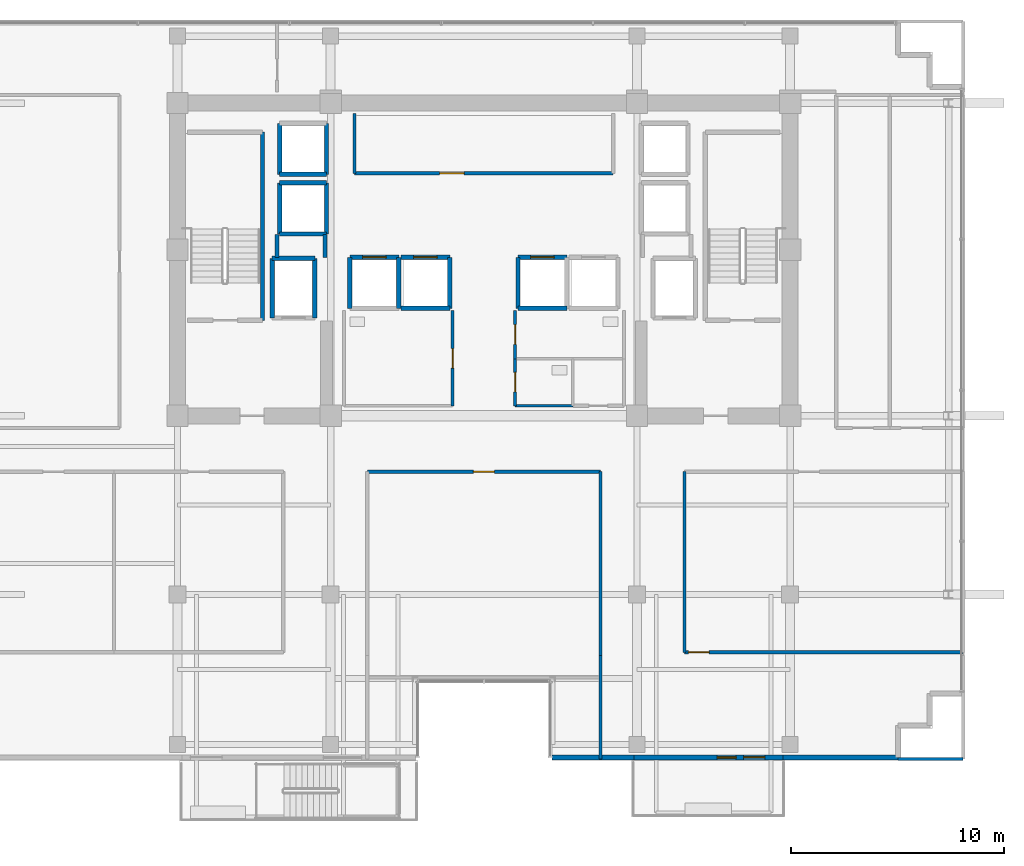
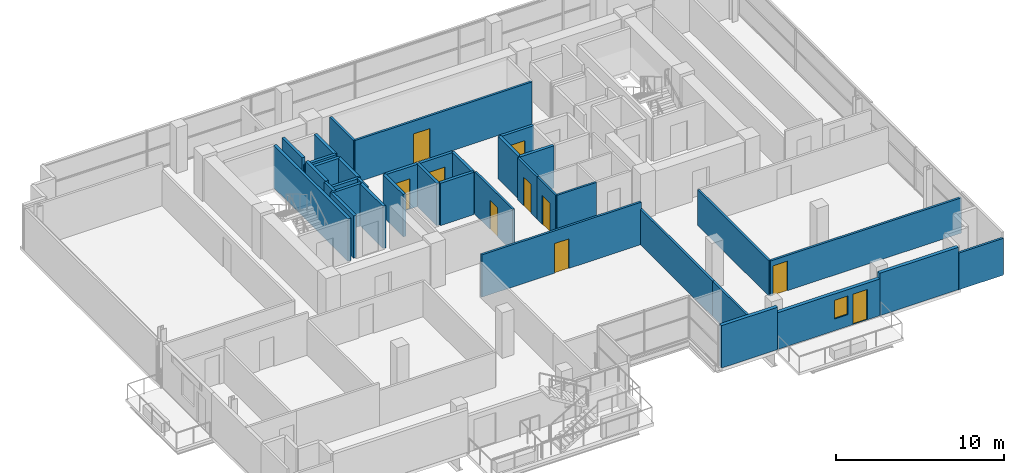
# One storey, part 17 of 23: 37 walls, 10 doors, 1 window, 11 openings.
"""IFC4 building model written with IfcOpenShell, lengths in metres."""

from ifc_helpers import new_model, si_unit, direction, frame, frame_2d, origin, place, context, subcontext, project, spatial, rectangle, extrude, source, transform, mapped, material, layer, layer_set, type_object, element, fill, save


model = new_model("IFC4")

# Units and contexts
model_context = context("Model", 3, precision=1e-05, world=origin(), true_north=direction((0.0, 1.0)))
body_context = subcontext(model_context, "Body", "Model", "MODEL_VIEW")
ifc_project = project(units=[si_unit("LENGTHUNIT", "METRE"), si_unit("AREAUNIT", "SQUARE_METRE"), si_unit("VOLUMEUNIT", "CUBIC_METRE"), si_unit("PLANEANGLEUNIT", "RADIAN"), si_unit("MASSUNIT", "GRAM", prefix="KILO")], contexts=[model_context])

# Site, building, storey
site_placement = place(None, origin())
site = spatial("IfcSite", under=ifc_project, at=site_placement, CompositionType="ELEMENT")
building_placement = place(site_placement, origin())
building = spatial("IfcBuilding", under=site, at=building_placement, Name="Zarnakvel Exchange Tower", CompositionType="ELEMENT")
storey_placement = place(building_placement, frame((0.0, 0.0, 146.199951171875)))
storey = spatial("IfcBuildingStorey", under=building, at=storey_placement, Name="L40", CompositionType="ELEMENT", Elevation=146.199951171875)

# Wall, openings, door, window
ifc_material_1 = material(Name="Precast concrete C40/50", Category="concrete")
ifc_layer_1 = layer(ifc_material_1, 0.239990234375)
ifc_layer_set_1 = layer_set([ifc_layer_1], Name="Precast concrete C40/50")
wall_type_1 = type_object("IfcWallType", Name="EW-02", PredefinedType="SOLIDWALL", material=ifc_layer_set_1)
wall_1_placement = place(storey_placement, frame((14.050048828125, -17.260009765625, 0.0), z_axis=(0.0, 0.0, 1.0), x_axis=(-1.0, 0.0, 0.0)))
wall_1 = element("IfcWall", 1, at=wall_1_placement, inside=storey, type_object=wall_type_1, Name="L40 Exterior Precast Spandrel Wall EW-BAL-L40-SE (EW-02)", PredefinedType="SOLIDWALL", context=body_context, shape_type="SweptSolid", body=[
    extrude(rectangle(XDim=7.0, YDim=0.239990234375, at=frame_2d((3.5, 0.0))), origin(), (0.0, 0.0, 1.0), 2.6650390625),
])
opening_1_placement = place(wall_1_placement, frame((0.840087890625, 0.0, 0.0)))
opening_1 = element("IfcOpeningElement", 2, at=opening_1_placement, cuts=wall_1, Name="Opening BD-L40-01", PredefinedType="OPENING", context=body_context, shape_type="SweptSolid", body=[
    extrude(rectangle(XDim=1.0, YDim=2.199951171875, at=frame_2d((0.5, 1.10009765625))), frame((0.0, 0.1298828125, 0.0), z_axis=(0.0, -1.0, 0.0), x_axis=(1.0, 0.0, 0.0)), (0.0, 0.0, 1.0), 0.260009765625),
])
opening_2_placement = place(wall_1_placement, frame((2.18994140625, 0.0, 0.85009765625)))
opening_2 = element("IfcOpeningElement", 3, at=opening_2_placement, cuts=wall_1, Name="Opening WN-06", PredefinedType="OPENING", context=body_context, shape_type="SweptSolid", body=[
    extrude(rectangle(XDim=0.89990234375, YDim=1.35009765625, at=frame_2d((0.449951171875, 0.675048828125))), frame((0.0, 0.1298828125, 0.0), z_axis=(0.0, -1.0, 0.0), x_axis=(1.0, 0.0, 0.0)), (0.0, 0.0, 1.0), 0.260009765625),
])
ifc_material_2 = material(Name="Architectural Bronze Anodised Aluminium", Category="aluminium")
door_type_1 = type_object("IfcDoorType", Name="DT-09", OperationType="NOTDEFINED", PredefinedType="DOOR", material=ifc_material_2)
shared_shape_1 = source(origin(), body_context, "Body", "SweptSolid", [
    extrude(rectangle(XDim=1.0, YDim=2.199951171875, at=frame_2d((0.5, 1.10009765625))), frame((0.0, 0.02490234375, 0.0), z_axis=(0.0, -1.0, 0.0), x_axis=(1.0, 0.0, 0.0)), (0.0, 0.0, 1.0), 0.050048828125),
])
door_1_placement = place(opening_1_placement, origin())
door_1 = element("IfcDoor", 4, at=door_1_placement, inside=storey, type_object=door_type_1, Name="L40 Planted Loggia Balcony Door BD-L40-01", OperationType="SINGLE_SWING_RIGHT", OverallHeight=2.199951171875, OverallWidth=1.0, PredefinedType="DOOR", context=body_context, shape_type="MappedRepresentation", body=[
    mapped(shared_shape_1, transform((0.0, 0.0, 0.0), x_axis=(1.0, 0.0, 0.0), y_axis=(0.0, 1.0, 0.0), z_axis=(0.0, 0.0, 1.0), scale=1.0)),
])
fill(opening_1, door_1)
ifc_material_3 = material(Name="Double Low-E Laminated Vision Glass", Category="glass")
window_type = type_object("IfcWindowType", Name="WN-06", PartitioningType="SINGLE_PANEL", PredefinedType="WINDOW", material=ifc_material_3)
shared_shape_2 = source(origin(), body_context, "Body", "SweptSolid", [
    extrude(rectangle(XDim=0.89990234375, YDim=1.35009765625, at=frame_2d((0.449951171875, 0.675048828125))), frame((0.0, 0.030029296875, 0.0), z_axis=(0.0, -1.0, 0.0), x_axis=(1.0, 0.0, 0.0)), (0.0, 0.0, 1.0), 0.06005859375),
])
window_placement = place(opening_2_placement, origin())
window = element("IfcWindow", 5, at=window_placement, inside=storey, type_object=window_type, Name="L40 Loggia Daylight Window (WN-06)", OverallHeight=1.35009765625, OverallWidth=0.89990234375, PartitioningType="SINGLE_PANEL", PredefinedType="WINDOW", context=body_context, shape_type="MappedRepresentation", body=[
    mapped(shared_shape_2, transform((0.0, 0.0, 0.0), x_axis=(1.0, 0.0, 0.0), y_axis=(0.0, 1.0, 0.0), z_axis=(0.0, 0.0, 1.0), scale=1.0)),
])
fill(opening_2, window)

# Walls
wall_2_placement = place(storey_placement, frame((14.050048828125, -17.260009765625, 0.0), z_axis=(0.0, 0.0, 1.0), x_axis=(1.0, 0.0, 0.0)))
element("IfcWall", 6, at=wall_2_placement, inside=storey, type_object=wall_type_1, Name="L40 Exterior Precast Spandrel Wall EWC-L40-15 (EW-02)", PredefinedType="SOLIDWALL", context=body_context, shape_type="SweptSolid", body=[
    extrude(rectangle(XDim=5.409912109375, YDim=0.239990234375, at=frame_2d((2.705078125, 0.0))), origin(), (0.0, 0.0, 1.0), 3.074951171875),
])
wall_3_placement = place(storey_placement, frame((3.199951171875, -17.260009765625, 0.0), z_axis=(0.0, 0.0, 1.0), x_axis=(1.0, 0.0, 0.0)))
element("IfcWall", 7, at=wall_3_placement, inside=storey, type_object=wall_type_1, Name="L40 Exterior Precast Spandrel Wall EWC-L40-16 (EW-02)", PredefinedType="SOLIDWALL", context=body_context, shape_type="SweptSolid", body=[
    extrude(rectangle(XDim=3.85009765625, YDim=0.239990234375, at=frame_2d((1.925048828125, 0.0))), origin(), (0.0, 0.0, 1.0), 3.074951171875),
])

# Wall, opening, door
ifc_material_4 = material(Name="Fire-Rated Gypsum Stud Partition", Category="gypsum")
ifc_layer_2 = layer(ifc_material_4, 0.14990234375)
ifc_layer_set_2 = layer_set([ifc_layer_2], Name="Fire-Rated Gypsum Stud Partition")
wall_type_2 = type_object("IfcWallType", Name="PT-01", PredefinedType="PARTITIONING", material=ifc_layer_set_2)
wall_4_placement = place(storey_placement, frame((6.080078125, 10.199951171875, 0.0), z_axis=(0.0, 0.0, 1.0), x_axis=(-1.0, 0.0, 0.0)))
wall_4 = element("IfcWall", 8, at=wall_4_placement, inside=storey, type_object=wall_type_2, Name="L40 Partition Wall PWALL-L40-011 (PT-01)", PredefinedType="PARTITIONING", context=body_context, shape_type="SweptSolid", body=[
    extrude(rectangle(XDim=12.16015625, YDim=0.14990234375, at=frame_2d((6.080078125, 0.0))), origin(), (0.0, 0.0, 1.0), 3.074951171875),
])
opening_3_placement = place(wall_4_placement, frame((7.0048828125, 0.0, 0.0)))
opening_3 = element("IfcOpeningElement", 9, at=opening_3_placement, cuts=wall_4, Name="Opening D-L40-05", PredefinedType="OPENING", context=body_context, shape_type="SweptSolid", body=[
    extrude(rectangle(XDim=1.14990234375, YDim=2.14990234375, at=frame_2d((0.574951171875, 1.074951171875))), frame((0.0, 0.0849609375, 0.0), z_axis=(0.0, -1.0, 0.0), x_axis=(1.0, 0.0, 0.0)), (0.0, 0.0, 1.0), 0.169921875),
])
ifc_material_5 = material(Name="Painted Galvanised Steel S355", Category="steel")
door_type_2 = type_object("IfcDoorType", Name="DT-04", OperationType="NOTDEFINED", PredefinedType="DOOR", material=ifc_material_5)
shared_shape_3 = source(origin(), body_context, "Body", "SweptSolid", [
    extrude(rectangle(XDim=1.14990234375, YDim=2.14990234375, at=frame_2d((0.574951171875, 1.074951171875))), frame((0.0, 0.02490234375, 0.0), z_axis=(0.0, -1.0, 0.0), x_axis=(1.0, 0.0, 0.0)), (0.0, 0.0, 1.0), 0.050048828125),
])
door_2_placement = place(opening_3_placement, origin())
door_2 = element("IfcDoor", 10, at=door_2_placement, inside=storey, type_object=door_type_2, Name="L40 Market Data Archive Suite Door D-L40-05", OperationType="SINGLE_SWING_RIGHT", OverallHeight=2.14990234375, OverallWidth=1.14990234375, PredefinedType="DOOR", context=body_context, shape_type="MappedRepresentation", body=[
    mapped(shared_shape_3, transform((0.0, 0.0, 0.0), x_axis=(1.0, 0.0, 0.0), y_axis=(0.0, 1.0, 0.0), z_axis=(0.0, 0.0, 1.0), scale=1.0)),
])
fill(opening_3, door_2)

# Wall
wall_5_placement = place(storey_placement, frame((-6.080078125, 10.199951171875, 0.0), z_axis=(0.0, 0.0, 1.0), x_axis=(0.0, 1.0, 0.0)))
element("IfcWall", 11, at=wall_5_placement, inside=storey, type_object=wall_type_2, Name="L40 Partition Wall PWALL-L40-012 (PT-01)", PredefinedType="PARTITIONING", context=body_context, shape_type="SweptSolid", body=[
    extrude(rectangle(XDim=2.800048828125, YDim=0.14990234375, at=frame_2d((1.39990234375, 0.0))), origin(), (0.0, 0.0, 1.0), 3.074951171875),
])

# Wall, opening, door
wall_6_placement = place(storey_placement, frame((22.530029296875, -12.320068359375, 0.0), z_axis=(0.0, 0.0, 1.0), x_axis=(-1.0, 0.0, 0.0)))
wall_6 = element("IfcWall", 12, at=wall_6_placement, inside=storey, type_object=wall_type_2, Name="L40 Partition Wall PWALL-L40-038 (PT-01)", PredefinedType="PARTITIONING", context=body_context, shape_type="SweptSolid", body=[
    extrude(rectangle(XDim=13.10009765625, YDim=0.14990234375, at=frame_2d((6.550048828125, 0.0))), origin(), (0.0, 0.0, 1.0), 2.56494140625),
])
opening_4_placement = place(wall_6_placement, frame((11.93994140625, 0.0, 0.0)))
opening_4 = element("IfcOpeningElement", 13, at=opening_4_placement, cuts=wall_6, Name="Opening D-L40-15", PredefinedType="OPENING", context=body_context, shape_type="SweptSolid", body=[
    extrude(rectangle(XDim=0.97998046875, YDim=2.14990234375, at=frame_2d((0.489990234375, 1.074951171875))), frame((0.0, 0.0849609375, 0.0), z_axis=(0.0, -1.0, 0.0), x_axis=(1.0, 0.0, 0.0)), (0.0, 0.0, 1.0), 0.169921875),
])
ifc_material_6 = material(Name="Timber Acoustic Veneer", Category="wood")
door_type_3 = type_object("IfcDoorType", Name="DT-05", OperationType="NOTDEFINED", PredefinedType="DOOR", material=ifc_material_6)
shared_shape_4 = source(origin(), body_context, "Body", "SweptSolid", [
    extrude(rectangle(XDim=0.97998046875, YDim=2.14990234375, at=frame_2d((0.489990234375, 1.074951171875))), frame((0.0, 0.02490234375, 0.0), z_axis=(0.0, -1.0, 0.0), x_axis=(1.0, 0.0, 0.0)), (0.0, 0.0, 1.0), 0.050048828125),
])
door_3_placement = place(opening_4_placement, origin())
door_3 = element("IfcDoor", 14, at=door_3_placement, inside=storey, type_object=door_type_3, Name="L40 Members Club Lounge Door D-L40-15", OperationType="SINGLE_SWING_RIGHT", OverallHeight=2.14990234375, OverallWidth=0.97998046875, PredefinedType="DOOR", context=body_context, shape_type="MappedRepresentation", body=[
    mapped(shared_shape_4, transform((0.0, 0.0, 0.0), x_axis=(1.0, 0.0, 0.0), y_axis=(0.0, 1.0, 0.0), z_axis=(0.0, 0.0, 1.0), scale=1.0)),
])
fill(opening_4, door_3)

# Walls
wall_7_placement = place(storey_placement, frame((9.429931640625, -12.320068359375, 0.0), z_axis=(0.0, 0.0, 1.0), x_axis=(0.0, 1.0, 0.0)))
element("IfcWall", 15, at=wall_7_placement, inside=storey, type_object=wall_type_2, Name="L40 Partition Wall PWALL-L40-040 (PT-01)", PredefinedType="PARTITIONING", context=body_context, shape_type="SweptSolid", body=[
    extrude(rectangle(XDim=8.489990234375, YDim=0.14990234375, at=frame_2d((4.2451171875, 0.0))), origin(), (0.0, 0.0, 1.0), 2.56494140625),
])
wall_8_placement = place(storey_placement, frame((22.530029296875, -17.330078125, 0.0), z_axis=(0.0, 0.0, 1.0), x_axis=(-1.0, 0.0, 0.0)))
element("IfcWall", 16, at=wall_8_placement, inside=storey, type_object=wall_type_2, Name="L40 Partition Wall PWALL-L40-042 (PT-01)", PredefinedType="PARTITIONING", context=body_context, shape_type="SweptSolid", body=[
    extrude(rectangle(XDim=3.070068359375, YDim=0.14990234375, at=frame_2d((1.53515625, 0.0))), origin(), (0.0, 0.0, 1.0), 2.6650390625),
])
wall_9_placement = place(storey_placement, frame((5.47998046875, -17.330078125, 0.0), z_axis=(0.0, 0.0, 1.0), x_axis=(0.0, 1.0, 0.0)))
element("IfcWall", 17, at=wall_9_placement, inside=storey, type_object=wall_type_2, Name="L40 Partition Wall PWALL-L40-043 (PT-01)", PredefinedType="PARTITIONING", context=body_context, shape_type="SweptSolid", body=[
    extrude(rectangle(XDim=4.85009765625, YDim=0.14990234375, at=frame_2d((2.425048828125, 0.0))), origin(), (0.0, 0.0, 1.0), 2.56494140625),
])

# Wall, opening, door
wall_10_placement = place(storey_placement, frame((-5.47998046875, -3.830078125, 0.0), z_axis=(0.0, 0.0, 1.0), x_axis=(1.0, 0.0, 0.0)))
wall_10 = element("IfcWall", 18, at=wall_10_placement, inside=storey, type_object=wall_type_2, Name="L40 Partition Wall PWALL-L40-046 (PT-01)", PredefinedType="PARTITIONING", context=body_context, shape_type="SweptSolid", body=[
    extrude(rectangle(XDim=10.9599609375, YDim=0.14990234375, at=frame_2d((5.47998046875, 0.0))), origin(), (0.0, 0.0, 1.0), 3.074951171875),
])
opening_5_placement = place(wall_10_placement, frame((4.989990234375, 0.0, 0.0)))
opening_5 = element("IfcOpeningElement", 19, at=opening_5_placement, cuts=wall_10, Name="Opening D-L40-16", PredefinedType="OPENING", context=body_context, shape_type="SweptSolid", body=[
    extrude(rectangle(XDim=0.97998046875, YDim=2.14990234375, at=frame_2d((0.489990234375, 1.074951171875))), frame((0.0, 0.0849609375, 0.0), z_axis=(0.0, -1.0, 0.0), x_axis=(1.0, 0.0, 0.0)), (0.0, 0.0, 1.0), 0.169921875),
])
door_4_placement = place(opening_5_placement, origin())
door_4 = element("IfcDoor", 20, at=door_4_placement, inside=storey, type_object=door_type_3, Name="L40 Observation Lounge Door D-L40-16", OperationType="SINGLE_SWING_LEFT", OverallHeight=2.14990234375, OverallWidth=0.97998046875, PredefinedType="DOOR", context=body_context, shape_type="MappedRepresentation", body=[
    mapped(shared_shape_4, transform((0.0, 0.0, 0.0), x_axis=(1.0, 0.0, 0.0), y_axis=(0.0, 1.0, 0.0), z_axis=(0.0, 0.0, 1.0), scale=1.0)),
])
fill(opening_5, door_4)

# Walls
wall_11_placement = place(storey_placement, frame((5.47998046875, -3.830078125, 0.0), z_axis=(0.0, 0.0, 1.0), x_axis=(0.0, -1.0, 0.0)))
element("IfcWall", 21, at=wall_11_placement, inside=storey, type_object=wall_type_2, Name="L40 Partition Wall PWALL-L40-048 (PT-01)", PredefinedType="PARTITIONING", context=body_context, shape_type="SweptSolid", body=[
    extrude(rectangle(XDim=8.64990234375, YDim=0.14990234375, at=frame_2d((4.324951171875, 0.0))), origin(), (0.0, 0.0, 1.0), 2.56494140625),
])
ifc_layer_3 = layer(ifc_material_4, 0.179931640625)
ifc_layer_set_3 = layer_set([ifc_layer_3], Name="Fire-Rated Gypsum Stud Partition")
wall_type_3 = type_object("IfcWallType", Name="PT-02", PredefinedType="PARTITIONING", material=ifc_layer_set_3)
wall_12_placement = place(storey_placement, frame((-9.72998046875, 6.239990234375, 0.0), z_axis=(0.0, 0.0, 1.0), x_axis=(0.0, 1.0, 0.0)))
element("IfcWall", 22, at=wall_12_placement, inside=storey, type_object=wall_type_3, Name="L40 Partition Wall PWALL-L40-007 (PT-02)", PredefinedType="PARTITIONING", context=body_context, shape_type="SweptSolid", body=[
    extrude(rectangle(XDim=1.090087890625, YDim=0.179931640625, at=frame_2d((0.544921875, 0.0))), origin(), (0.0, 0.0, 1.0), 3.074951171875),
])
wall_13_placement = place(storey_placement, frame((-7.469970703125, 7.330078125, 0.0), z_axis=(0.0, 0.0, 1.0), x_axis=(0.0, -1.0, 0.0)))
element("IfcWall", 23, at=wall_13_placement, inside=storey, type_object=wall_type_3, Name="L40 Partition Wall PWALL-L40-008 (PT-02)", PredefinedType="PARTITIONING", context=body_context, shape_type="SweptSolid", body=[
    extrude(rectangle(XDim=1.090087890625, YDim=0.179931640625, at=frame_2d((0.544921875, 0.0))), origin(), (0.0, 0.0, 1.0), 2.56494140625),
])

# Wall, opening, door
ifc_material_7 = material(Name="Moisture-Resistant Tile-Faced Partition", Category="gypsum")
ifc_layer_4 = layer(ifc_material_7, 0.135009765625)
ifc_layer_set_4 = layer_set([ifc_layer_4], Name="Moisture-Resistant Tile-Faced Partition")
wall_type_4 = type_object("IfcWallType", Name="PT-03", PredefinedType="PARTITIONING", material=ifc_layer_set_4)
wall_14_placement = place(storey_placement, frame((-1.469970703125, 3.760009765625, 0.0), z_axis=(0.0, 0.0, 1.0), x_axis=(0.0, -1.0, 0.0)))
wall_14 = element("IfcWall", 24, at=wall_14_placement, inside=storey, type_object=wall_type_4, Name="L40 Partition Wall PWALL-L40-016 (PT-03)", PredefinedType="PARTITIONING", context=body_context, shape_type="SweptSolid", body=[
    extrude(rectangle(XDim=4.489990234375, YDim=0.135009765625, at=frame_2d((2.2451171875, 0.0))), origin(), (0.0, 0.0, 1.0), 3.074951171875),
])
opening_6_placement = place(wall_14_placement, frame((1.800048828125, 0.0, 0.0)))
opening_6 = element("IfcOpeningElement", 25, at=opening_6_placement, cuts=wall_14, Name="Opening D-L40-06", PredefinedType="OPENING", context=body_context, shape_type="SweptSolid", body=[
    extrude(rectangle(XDim=0.919921875, YDim=2.10009765625, at=frame_2d((0.4599609375, 1.050048828125))), frame((0.0, 0.077392578125, 0.0), z_axis=(0.0, -1.0, 0.0), x_axis=(1.0, 0.0, 0.0)), (0.0, 0.0, 1.0), 0.155029296875),
])
ifc_material_8 = material(Name="Moisture-Resistant Laminate Timber", Category="wood")
door_type_4 = type_object("IfcDoorType", Name="DT-07", OperationType="NOTDEFINED", PredefinedType="DOOR", material=ifc_material_8)
shared_shape_5 = source(origin(), body_context, "Body", "SweptSolid", [
    extrude(rectangle(XDim=0.919921875, YDim=2.10009765625, at=frame_2d((0.4599609375, 1.050048828125))), frame((0.0, 0.02490234375, 0.0), z_axis=(0.0, -1.0, 0.0), x_axis=(1.0, 0.0, 0.0)), (0.0, 0.0, 1.0), 0.050048828125),
])
door_5_placement = place(opening_6_placement, origin())
door_5 = element("IfcDoor", 26, at=door_5_placement, inside=storey, type_object=door_type_4, Name="L40 Male Toilet Door D-L40-06", OperationType="SINGLE_SWING_LEFT", OverallHeight=2.10009765625, OverallWidth=0.919921875, PredefinedType="DOOR", context=body_context, shape_type="MappedRepresentation", body=[
    mapped(shared_shape_5, transform((0.0, 0.0, 0.0), x_axis=(1.0, 0.0, 0.0), y_axis=(0.0, 1.0, 0.0), z_axis=(0.0, 0.0, 1.0), scale=1.0)),
])
fill(opening_6, door_5)

wall_15_placement = place(storey_placement, frame((1.469970703125, 1.47998046875, 0.0), z_axis=(0.0, 0.0, 1.0), x_axis=(0.0, 1.0, 0.0)))
wall_15 = element("IfcWall", 27, at=wall_15_placement, inside=storey, type_object=wall_type_4, Name="L40 Partition Wall PWALL-L40-018 (PT-03)", PredefinedType="PARTITIONING", context=body_context, shape_type="SweptSolid", body=[
    extrude(rectangle(XDim=2.280029296875, YDim=0.135009765625, at=frame_2d((1.14013671875, 0.0))), origin(), (0.0, 0.0, 1.0), 3.074951171875),
])
opening_7_placement = place(wall_15_placement, frame((0.679931640625, 0.0, 0.0)))
opening_7 = element("IfcOpeningElement", 28, at=opening_7_placement, cuts=wall_15, Name="Opening D-L40-07", PredefinedType="OPENING", context=body_context, shape_type="SweptSolid", body=[
    extrude(rectangle(XDim=0.919921875, YDim=2.10009765625, at=frame_2d((0.4599609375, 1.050048828125))), frame((0.0, 0.077392578125, 0.0), z_axis=(0.0, -1.0, 0.0), x_axis=(1.0, 0.0, 0.0)), (0.0, 0.0, 1.0), 0.155029296875),
])
door_6_placement = place(opening_7_placement, origin())
door_6 = element("IfcDoor", 29, at=door_6_placement, inside=storey, type_object=door_type_4, Name="L40 Female Toilet Door D-L40-07", OperationType="SINGLE_SWING_RIGHT", OverallHeight=2.10009765625, OverallWidth=0.919921875, PredefinedType="DOOR", context=body_context, shape_type="MappedRepresentation", body=[
    mapped(shared_shape_5, transform((0.0, 0.0, 0.0), x_axis=(1.0, 0.0, 0.0), y_axis=(0.0, 1.0, 0.0), z_axis=(0.0, 0.0, 1.0), scale=1.0)),
])
fill(opening_7, door_6)

# Wall
wall_16_placement = place(storey_placement, frame((4.179931640625, -0.72998046875, 0.0), z_axis=(0.0, 0.0, 1.0), x_axis=(-1.0, 0.0, 0.0)))
element("IfcWall", 30, at=wall_16_placement, inside=storey, type_object=wall_type_4, Name="L40 Partition Wall PWALL-L40-020 (PT-03)", PredefinedType="PARTITIONING", context=body_context, shape_type="SweptSolid", body=[
    extrude(rectangle(XDim=2.7099609375, YDim=0.135009765625, at=frame_2d((1.35498046875, 0.0))), origin(), (0.0, 0.0, 1.0), 3.074951171875),
])

# Wall, opening, door
wall_17_placement = place(storey_placement, frame((1.469970703125, -0.72998046875, 0.0), z_axis=(0.0, 0.0, 1.0), x_axis=(0.0, 1.0, 0.0)))
wall_17 = element("IfcWall", 31, at=wall_17_placement, inside=storey, type_object=wall_type_4, Name="L40 Partition Wall PWALL-L40-021 (PT-03)", PredefinedType="PARTITIONING", context=body_context, shape_type="SweptSolid", body=[
    extrude(rectangle(XDim=2.2099609375, YDim=0.135009765625, at=frame_2d((1.10498046875, 0.0))), origin(), (0.0, 0.0, 1.0), 3.074951171875),
])
opening_8_placement = place(wall_17_placement, frame((0.64990234375, 0.0, 0.0)))
opening_8 = element("IfcOpeningElement", 32, at=opening_8_placement, cuts=wall_17, Name="Opening D-L40-08", PredefinedType="OPENING", context=body_context, shape_type="SweptSolid", body=[
    extrude(rectangle(XDim=0.919921875, YDim=2.10009765625, at=frame_2d((0.4599609375, 1.050048828125))), frame((0.0, 0.077392578125, 0.0), z_axis=(0.0, -1.0, 0.0), x_axis=(1.0, 0.0, 0.0)), (0.0, 0.0, 1.0), 0.155029296875),
])
door_7_placement = place(opening_8_placement, origin())
door_7 = element("IfcDoor", 33, at=door_7_placement, inside=storey, type_object=door_type_4, Name="L40 Accessible Toilet Door D-L40-08", OperationType="SINGLE_SWING_LEFT", OverallHeight=2.10009765625, OverallWidth=0.919921875, PredefinedType="DOOR", context=body_context, shape_type="MappedRepresentation", body=[
    mapped(shared_shape_5, transform((0.0, 0.0, 0.0), x_axis=(1.0, 0.0, 0.0), y_axis=(0.0, 1.0, 0.0), z_axis=(0.0, 0.0, 1.0), scale=1.0)),
])
fill(opening_8, door_7)

# Walls
ifc_material_9 = material(Name="Concrete C40/50", Category="concrete")
ifc_layer_5 = layer(ifc_material_9, 0.199951171875)
ifc_layer_set_5 = layer_set([ifc_layer_5], Name="Concrete C40/50")
wall_type_5 = type_object("IfcWallType", Name="SW-01", PredefinedType="SOLIDWALL", material=ifc_layer_set_5)
wall_18_placement = place(storey_placement, frame((-9.949951171875, 6.199951171875, 0.0), z_axis=(0.0, 0.0, 1.0), x_axis=(1.0, 0.0, 0.0)))
element("IfcWall", 34, at=wall_18_placement, inside=storey, type_object=wall_type_5, Name="L40 FL-01 Hoistway Wall North", PredefinedType="SOLIDWALL", context=body_context, shape_type="SweptSolid", body=[
    extrude(rectangle(XDim=2.0, YDim=0.199951171875, at=frame_2d((1.0, 0.0))), origin(), (0.0, 0.0, 1.0), 3.074951171875),
])
for number, where, z_axis, x_axis, name in (
    (35, (-9.949951171875, 3.39990234375, 0.0), (0.0, 0.0, 1.0), (0.0, 1.0, 0.0), "L40 FL-01 Hoistway Wall West"),
    (36, (-7.949951171875, 6.199951171875, 0.0), (0.0, 0.0, 1.0), (0.0, -1.0, 0.0), "L40 FL-01 Hoistway Wall East"),
):
    element("IfcWall", number, at=place(storey_placement, frame(where, z_axis=z_axis, x_axis=x_axis)), inside=storey, type_object=wall_type_5, Name=name, PredefinedType="SOLIDWALL", context=body_context, shape_type="SweptSolid", body=[
        extrude(rectangle(XDim=2.800048828125, YDim=0.199951171875, at=frame_2d((1.39990234375, 0.0))), origin(), (0.0, 0.0, 1.0), 3.074951171875),
    ])

# Wall, opening, door
wall_19_placement = place(storey_placement, frame((-6.300048828125, 6.25, 0.0), z_axis=(0.0, 0.0, 1.0), x_axis=(1.0, 0.0, 0.0)))
wall_19 = element("IfcWall", 37, at=wall_19_placement, inside=storey, type_object=wall_type_5, Name="L40 PL-05 Hoistway Wall North", PredefinedType="SOLIDWALL", context=body_context, shape_type="SweptSolid", body=[
    extrude(rectangle(XDim=2.300048828125, YDim=0.199951171875, at=frame_2d((1.14990234375, 0.0))), origin(), (0.0, 0.0, 1.0), 3.074951171875),
])
opening_9_placement = place(wall_19_placement, frame((0.60009765625, 0.0, 0.0)))
opening_9 = element("IfcOpeningElement", 38, at=opening_9_placement, cuts=wall_19, Name="Opening LD-PL-05-L40", PredefinedType="OPENING", context=body_context, shape_type="SweptSolid", body=[
    extrude(rectangle(XDim=1.10009765625, YDim=2.199951171875, at=frame_2d((0.550048828125, 1.10009765625))), frame((0.0, 0.10986328125, 0.0), z_axis=(0.0, -1.0, 0.0), x_axis=(1.0, 0.0, 0.0)), (0.0, 0.0, 1.0), 0.219970703125),
])
door_type_5 = type_object("IfcDoorType", Name="LDT-02", OperationType="NOTDEFINED", PredefinedType="DOOR", material=ifc_material_2)
shared_shape_6 = source(origin(), body_context, "Body", "SweptSolid", [
    extrude(rectangle(XDim=1.10009765625, YDim=2.199951171875, at=frame_2d((0.550048828125, 1.10009765625))), frame((0.0, 0.02490234375, 0.0), z_axis=(0.0, -1.0, 0.0), x_axis=(1.0, 0.0, 0.0)), (0.0, 0.0, 1.0), 0.050048828125),
])
door_8_placement = place(opening_9_placement, origin())
door_8 = element("IfcDoor", 39, at=door_8_placement, inside=storey, type_object=door_type_5, Name="L40 PL-05 Lift Landing Door LD-PL-05-L40", OperationType="DOUBLE_DOOR_SLIDING", OverallHeight=2.199951171875, OverallWidth=1.10009765625, PredefinedType="DOOR", context=body_context, shape_type="MappedRepresentation", body=[
    mapped(shared_shape_6, transform((0.0, 0.0, 0.0), x_axis=(1.0, 0.0, 0.0), y_axis=(0.0, 1.0, 0.0), z_axis=(0.0, 0.0, 1.0), scale=1.0)),
])
fill(opening_9, door_8)

# Walls
for number, where, z_axis, x_axis, name in (
    (40, (-6.300048828125, 3.85009765625, 0.0), (0.0, 0.0, 1.0), (0.0, 1.0, 0.0), "L40 PL-05 Hoistway Wall West"),
    (41, (-4.0, 6.25, 0.0), (0.0, 0.0, 1.0), (0.0, -1.0, 0.0), "L40 PL-05 Hoistway Wall East"),
):
    element("IfcWall", number, at=place(storey_placement, frame(where, z_axis=z_axis, x_axis=x_axis)), inside=storey, type_object=wall_type_5, Name=name, PredefinedType="SOLIDWALL", context=body_context, shape_type="SweptSolid", body=[
        extrude(rectangle(XDim=2.39990234375, YDim=0.199951171875, at=frame_2d((1.199951171875, 0.0))), origin(), (0.0, 0.0, 1.0), 3.074951171875),
    ])
wall_20_placement = place(storey_placement, frame((-1.60009765625, 3.85009765625, 0.0), z_axis=(0.0, 0.0, 1.0), x_axis=(-1.0, 0.0, 0.0)))
element("IfcWall", 42, at=wall_20_placement, inside=storey, type_object=wall_type_5, Name="L40 PL-06 Hoistway Wall South", PredefinedType="SOLIDWALL", context=body_context, shape_type="SweptSolid", body=[
    extrude(rectangle(XDim=2.2998046875, YDim=0.199951171875, at=frame_2d((1.14990234375, 0.0))), origin(), (0.0, 0.0, 1.0), 3.074951171875),
])

# Wall, opening, door
wall_21_placement = place(storey_placement, frame((-3.89990234375, 6.25, 0.0), z_axis=(0.0, 0.0, 1.0), x_axis=(1.0, 0.0, 0.0)))
wall_21 = element("IfcWall", 43, at=wall_21_placement, inside=storey, type_object=wall_type_5, Name="L40 PL-06 Hoistway Wall North", PredefinedType="SOLIDWALL", context=body_context, shape_type="SweptSolid", body=[
    extrude(rectangle(XDim=2.2998046875, YDim=0.199951171875, at=frame_2d((1.14990234375, 0.0))), origin(), (0.0, 0.0, 1.0), 3.074951171875),
])
opening_10_placement = place(wall_21_placement, frame((0.60009765625, 0.0, 0.0)))
opening_10 = element("IfcOpeningElement", 44, at=opening_10_placement, cuts=wall_21, Name="Opening LD-PL-06-L40", PredefinedType="OPENING", context=body_context, shape_type="SweptSolid", body=[
    extrude(rectangle(XDim=1.10009765625, YDim=2.199951171875, at=frame_2d((0.550048828125, 1.10009765625))), frame((0.0, 0.10986328125, 0.0), z_axis=(0.0, -1.0, 0.0), x_axis=(1.0, 0.0, 0.0)), (0.0, 0.0, 1.0), 0.219970703125),
])
door_9_placement = place(opening_10_placement, origin())
door_9 = element("IfcDoor", 45, at=door_9_placement, inside=storey, type_object=door_type_5, Name="L40 PL-06 Lift Landing Door LD-PL-06-L40", OperationType="DOUBLE_DOOR_SLIDING", OverallHeight=2.199951171875, OverallWidth=1.10009765625, PredefinedType="DOOR", context=body_context, shape_type="MappedRepresentation", body=[
    mapped(shared_shape_6, transform((0.0, 0.0, 0.0), x_axis=(1.0, 0.0, 0.0), y_axis=(0.0, 1.0, 0.0), z_axis=(0.0, 0.0, 1.0), scale=1.0)),
])
fill(opening_10, door_9)

# Walls
wall_22_placement = place(storey_placement, frame((-1.60009765625, 6.25, 0.0), z_axis=(0.0, 0.0, 1.0), x_axis=(0.0, -1.0, 0.0)))
element("IfcWall", 46, at=wall_22_placement, inside=storey, type_object=wall_type_5, Name="L40 PL-06 Hoistway Wall East", PredefinedType="SOLIDWALL", context=body_context, shape_type="SweptSolid", body=[
    extrude(rectangle(XDim=2.39990234375, YDim=0.199951171875, at=frame_2d((1.199951171875, 0.0))), origin(), (0.0, 0.0, 1.0), 3.074951171875),
])
wall_23_placement = place(storey_placement, frame((3.89990234375, 3.85009765625, 0.0), z_axis=(0.0, 0.0, 1.0), x_axis=(-1.0, 0.0, 0.0)))
element("IfcWall", 47, at=wall_23_placement, inside=storey, type_object=wall_type_5, Name="L40 PL-07 Hoistway Wall South", PredefinedType="SOLIDWALL", context=body_context, shape_type="SweptSolid", body=[
    extrude(rectangle(XDim=2.2998046875, YDim=0.199951171875, at=frame_2d((1.14990234375, 0.0))), origin(), (0.0, 0.0, 1.0), 3.074951171875),
])

# Wall, opening, door
wall_24_placement = place(storey_placement, frame((1.60009765625, 6.25, 0.0), z_axis=(0.0, 0.0, 1.0), x_axis=(1.0, 0.0, 0.0)))
wall_24 = element("IfcWall", 48, at=wall_24_placement, inside=storey, type_object=wall_type_5, Name="L40 PL-07 Hoistway Wall North", PredefinedType="SOLIDWALL", context=body_context, shape_type="SweptSolid", body=[
    extrude(rectangle(XDim=2.2998046875, YDim=0.199951171875, at=frame_2d((1.14990234375, 0.0))), origin(), (0.0, 0.0, 1.0), 3.074951171875),
])
opening_11_placement = place(wall_24_placement, frame((0.60009765625, 0.0, 0.0)))
opening_11 = element("IfcOpeningElement", 49, at=opening_11_placement, cuts=wall_24, Name="Opening LD-PL-07-L40", PredefinedType="OPENING", context=body_context, shape_type="SweptSolid", body=[
    extrude(rectangle(XDim=1.10009765625, YDim=2.199951171875, at=frame_2d((0.550048828125, 1.10009765625))), frame((0.0, 0.10986328125, 0.0), z_axis=(0.0, -1.0, 0.0), x_axis=(1.0, 0.0, 0.0)), (0.0, 0.0, 1.0), 0.219970703125),
])
door_10_placement = place(opening_11_placement, origin())
door_10 = element("IfcDoor", 50, at=door_10_placement, inside=storey, type_object=door_type_5, Name="L40 PL-07 Lift Landing Door LD-PL-07-L40", OperationType="DOUBLE_DOOR_SLIDING", OverallHeight=2.199951171875, OverallWidth=1.10009765625, PredefinedType="DOOR", context=body_context, shape_type="MappedRepresentation", body=[
    mapped(shared_shape_6, transform((0.0, 0.0, 0.0), x_axis=(1.0, 0.0, 0.0), y_axis=(0.0, 1.0, 0.0), z_axis=(0.0, 0.0, 1.0), scale=1.0)),
])
fill(opening_11, door_10)

# Walls
wall_25_placement = place(storey_placement, frame((1.60009765625, 3.85009765625, 0.0), z_axis=(0.0, 0.0, 1.0), x_axis=(0.0, 1.0, 0.0)))
element("IfcWall", 51, at=wall_25_placement, inside=storey, type_object=wall_type_5, Name="L40 PL-07 Hoistway Wall West", PredefinedType="SOLIDWALL", context=body_context, shape_type="SweptSolid", body=[
    extrude(rectangle(XDim=2.39990234375, YDim=0.199951171875, at=frame_2d((1.199951171875, 0.0))), origin(), (0.0, 0.0, 1.0), 3.074951171875),
])
for number, where, z_axis, x_axis, name in (
    (52, (-7.39990234375, 7.35009765625, 0.0), (0.0, 0.0, 1.0), (-1.0, 0.0, 0.0), "L40 PL-09 Hoistway Wall South"),
    (53, (-9.60009765625, 9.75, 0.0), (0.0, 0.0, 1.0), (1.0, 0.0, 0.0), "L40 PL-09 Hoistway Wall North"),
):
    element("IfcWall", number, at=place(storey_placement, frame(where, z_axis=z_axis, x_axis=x_axis)), inside=storey, type_object=wall_type_5, Name=name, PredefinedType="SOLIDWALL", context=body_context, shape_type="SweptSolid", body=[
        extrude(rectangle(XDim=2.2001953125, YDim=0.199951171875, at=frame_2d((1.10009765625, 0.0))), origin(), (0.0, 0.0, 1.0), 2.56494140625),
    ])
wall_26_placement = place(storey_placement, frame((-9.60009765625, 7.35009765625, 0.0), z_axis=(0.0, 0.0, 1.0), x_axis=(0.0, 1.0, 0.0)))
element("IfcWall", 54, at=wall_26_placement, inside=storey, type_object=wall_type_5, Name="L40 PL-09 Hoistway Wall West", PredefinedType="SOLIDWALL", context=body_context, shape_type="SweptSolid", body=[
    extrude(rectangle(XDim=2.39990234375, YDim=0.199951171875, at=frame_2d((1.199951171875, 0.0))), origin(), (0.0, 0.0, 1.0), 3.074951171875),
])
wall_27_placement = place(storey_placement, frame((-7.39990234375, 9.75, 0.0), z_axis=(0.0, 0.0, 1.0), x_axis=(0.0, -1.0, 0.0)))
element("IfcWall", 55, at=wall_27_placement, inside=storey, type_object=wall_type_5, Name="L40 PL-09 Hoistway Wall East", PredefinedType="SOLIDWALL", context=body_context, shape_type="SweptSolid", body=[
    extrude(rectangle(XDim=2.39990234375, YDim=0.199951171875, at=frame_2d((1.199951171875, 0.0))), origin(), (0.0, 0.0, 1.0), 2.56494140625),
])
wall_28_placement = place(storey_placement, frame((-7.39990234375, 10.14990234375, 0.0), z_axis=(0.0, 0.0, 1.0), x_axis=(-1.0, 0.0, 0.0)))
element("IfcWall", 56, at=wall_28_placement, inside=storey, type_object=wall_type_5, Name="L40 PL-10 Hoistway Wall South", PredefinedType="SOLIDWALL", context=body_context, shape_type="SweptSolid", body=[
    extrude(rectangle(XDim=2.2001953125, YDim=0.199951171875, at=frame_2d((1.10009765625, 0.0))), origin(), (0.0, 0.0, 1.0), 2.56494140625),
])
wall_29_placement = place(storey_placement, frame((-9.60009765625, 10.14990234375, 0.0), z_axis=(0.0, 0.0, 1.0), x_axis=(0.0, 1.0, 0.0)))
element("IfcWall", 57, at=wall_29_placement, inside=storey, type_object=wall_type_5, Name="L40 PL-10 Hoistway Wall West", PredefinedType="SOLIDWALL", context=body_context, shape_type="SweptSolid", body=[
    extrude(rectangle(XDim=2.400146484375, YDim=0.199951171875, at=frame_2d((1.2001953125, 0.0))), origin(), (0.0, 0.0, 1.0), 3.074951171875),
])
wall_30_placement = place(storey_placement, frame((-7.39990234375, 12.550048828125, 0.0), z_axis=(0.0, 0.0, 1.0), x_axis=(0.0, -1.0, 0.0)))
element("IfcWall", 58, at=wall_30_placement, inside=storey, type_object=wall_type_5, Name="L40 PL-10 Hoistway Wall East", PredefinedType="SOLIDWALL", context=body_context, shape_type="SweptSolid", body=[
    extrude(rectangle(XDim=2.400146484375, YDim=0.199951171875, at=frame_2d((1.2001953125, 0.0))), origin(), (0.0, 0.0, 1.0), 2.56494140625),
])
ifc_layer_6 = layer(ifc_material_9, 0.199951171875)
ifc_layer_set_6 = layer_set([ifc_layer_6], Name="Concrete C40/50")
wall_type_6 = type_object("IfcWallType", Name="SW-02", PredefinedType="SOLIDWALL", material=ifc_layer_set_6)
wall_31_placement = place(storey_placement, frame((-10.409912109375, 12.1298828125, 0.0), z_axis=(0.0, 0.0, 1.0), x_axis=(0.0, -1.0, 0.0)))
element("IfcWall", 59, at=wall_31_placement, inside=storey, type_object=wall_type_6, Name="L40 Stairwell Core Wall PWALL-L40-003 (SW-02)", PredefinedType="SOLIDWALL", context=body_context, shape_type="SweptSolid", body=[
    extrude(rectangle(XDim=8.83984375, YDim=0.199951171875, at=frame_2d((4.419921875, 0.0))), origin(), (0.0, 0.0, 1.0), 3.074951171875),
])

save(model, "model.ifc")
